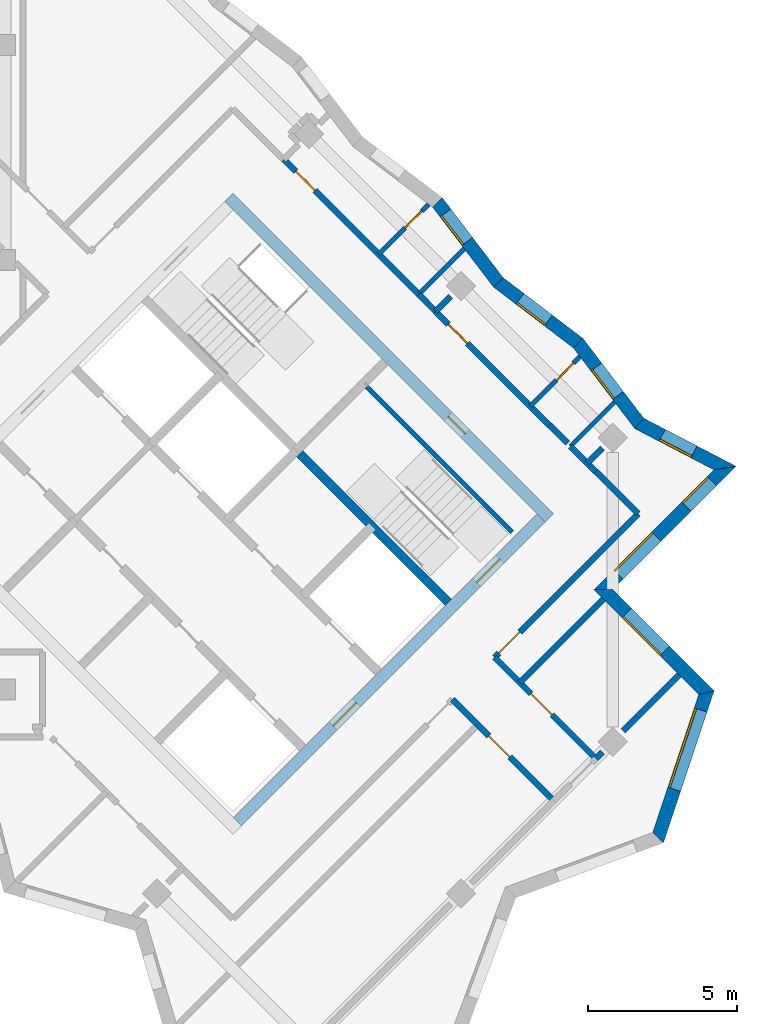
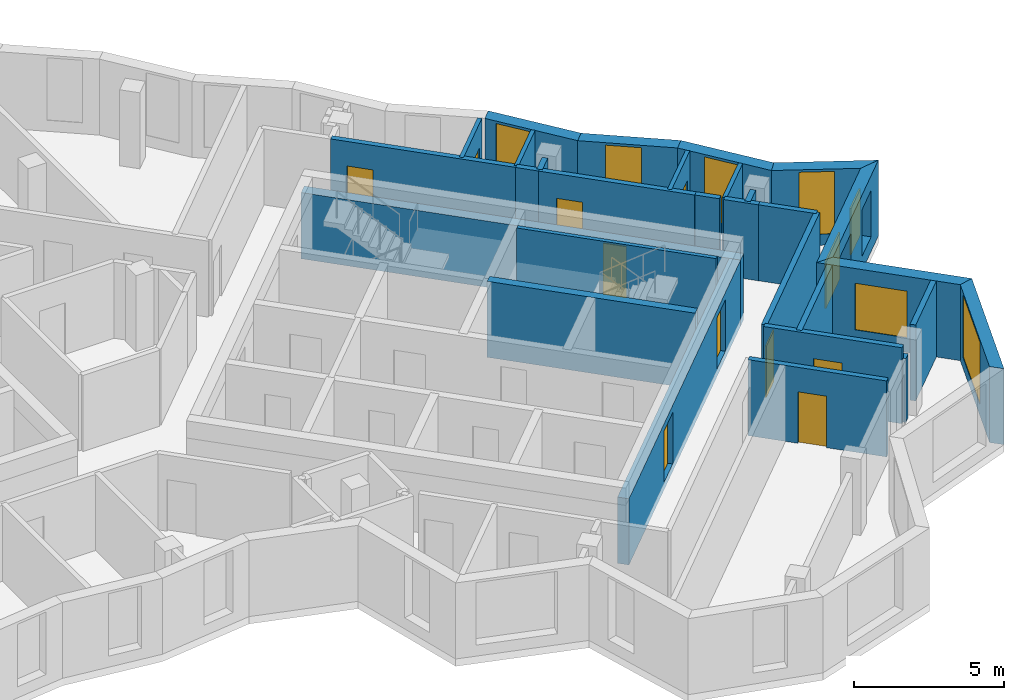
# One storey, part 7 of 12: 29 walls, 10 doors, 8 windows, 18 openings.
"""IFC4 building model written with IfcOpenShell, lengths in metres."""

from ifc_helpers import new_model, si_unit, direction, frame, frame_2d, origin, place, context, subcontext, project, spatial, polyline, rectangle, outline, extrude, material, layer, layer_set, type_object, element, fill, save


model = new_model("IFC4")

# Units and contexts
model_context = context("Model", 3, precision=1e-05, world=origin(), true_north=direction((0.0, 1.0)))
body_context = subcontext(model_context, "Body", "Model", "MODEL_VIEW")
ifc_project = project(units=[si_unit("LENGTHUNIT", "METRE"), si_unit("AREAUNIT", "SQUARE_METRE"), si_unit("VOLUMEUNIT", "CUBIC_METRE"), si_unit("PLANEANGLEUNIT", "RADIAN"), si_unit("MASSUNIT", "GRAM", prefix="KILO")], contexts=[model_context])

# Site, building, storey
site_placement = place(None, origin())
site = spatial("IfcSite", under=ifc_project, at=site_placement, CompositionType="ELEMENT")
building_placement = place(site_placement, origin())
building = spatial("IfcBuilding", under=site, at=building_placement, Name="Windrow Commons", CompositionType="ELEMENT")
storey_placement = place(building_placement, frame((0.0, 0.0, 260.8)))
storey = spatial("IfcBuildingStorey", under=building, at=storey_placement, Name="L71", CompositionType="ELEMENT", Elevation=260.8)

# Wall, opening, window
ifc_material_1 = material(Name="Brick masonry, red clay brick", Category="masonry")
ifc_layer_1 = layer(ifc_material_1, 0.45)
ifc_layer_set_1 = layer_set([ifc_layer_1], Name="Brick facade wall 450")
wall_type_1 = type_object("IfcWallType", Name="Brick facade wall 450", PredefinedType="SOLIDWALL", material=ifc_layer_set_1)
wall_1_placement = place(storey_placement, frame((101.0824, 38.2322, 0.0), z_axis=(0.0, 0.0, 1.0), x_axis=(0.316227766, 0.9486832981, 0.0)))
wall_1 = element("IfcWall", 1, at=wall_1_placement, inside=storey, type_object=wall_type_1, Name="Brick facade wall L71 4", PredefinedType="SOLIDWALL", context=body_context, shape_type="SweptSolid", body=[
    extrude(outline(polyline([(-0.1078, -0.225), (5.2588, -0.225), (4.9807, 0.225), (0.1078, 0.225), (-0.1078, -0.225)])), origin(), (0.0, 0.0, 1.0), 3.1),
])
opening_1_placement = place(wall_1_placement, frame((1.7112, 0.0, 0.45)))
opening_1 = element("IfcOpeningElement", 2, at=opening_1_placement, cuts=wall_1, Name="Opening W1V", PredefinedType="OPENING", context=body_context, shape_type="SweptSolid", body=[
    extrude(rectangle(XDim=2.8, YDim=2.55, at=frame_2d((1.4, 1.275))), frame((0.0, 0.235, 0.0), z_axis=(0.0, -1.0, 0.0), x_axis=(1.0, 0.0, 0.0)), (0.0, 0.0, 1.0), 0.47),
])
ifc_material_2 = material(Name="Clear float glass in anodised aluminium frame", Category="aluminium")
window_type_1 = type_object("IfcWindowType", Name="Window W1V bedroom 2800x2550", PartitioningType="SINGLE_PANEL", PredefinedType="WINDOW", material=ifc_material_2)
window_1_placement = place(opening_1_placement, origin())
window_1 = element("IfcWindow", 3, at=window_1_placement, inside=storey, type_object=window_type_1, Name="Window L71 4.1", OverallHeight=2.55, OverallWidth=2.8, PartitioningType="SINGLE_PANEL", PredefinedType="WINDOW", context=body_context, shape_type="SweptSolid", body=[
    extrude(rectangle(XDim=2.8, YDim=2.55, at=frame_2d((1.4, 1.275))), frame((0.0, 0.205, 0.0), z_axis=(0.0, -1.0, 0.0), x_axis=(1.0, 0.0, 0.0)), (0.0, 0.0, 1.0), 0.06),
])
fill(opening_1, window_1)

wall_2_placement = place(storey_placement, frame((102.7014, 43.0892, 0.0), z_axis=(0.0, 0.0, 1.0), x_axis=(-0.7070965479, 0.7071170144, 0.0)))
wall_2 = element("IfcWall", 4, at=wall_2_placement, inside=storey, type_object=wall_type_1, Name="Brick facade wall L71 5", PredefinedType="SOLIDWALL", context=body_context, shape_type="SweptSolid", body=[
    extrude(outline(polyline([(-0.1391, -0.225), (4.661, -0.225), (5.111, 0.225), (0.1391, 0.225), (-0.1391, -0.225)])), origin(), (0.0, 0.0, 1.0), 3.1),
])
opening_2_placement = place(wall_2_placement, frame((1.9735, 0.0, 0.6)))
opening_2 = element("IfcOpeningElement", 5, at=opening_2_placement, cuts=wall_2, Name="Opening W1L", PredefinedType="OPENING", context=body_context, shape_type="SweptSolid", body=[
    extrude(rectangle(XDim=1.8, YDim=1.9, at=frame_2d((0.9, 0.95))), frame((0.0, 0.235, 0.0), z_axis=(0.0, -1.0, 0.0), x_axis=(1.0, 0.0, 0.0)), (0.0, 0.0, 1.0), 0.47),
])
ifc_material_3 = material(Name="Clear float glass in anodised aluminium frame", Category="aluminium")
window_type_2 = type_object("IfcWindowType", Name="Window W1L bedroom 1800x1900", PartitioningType="SINGLE_PANEL", PredefinedType="WINDOW", material=ifc_material_3)
window_2_placement = place(opening_2_placement, origin())
window_2 = element("IfcWindow", 6, at=window_2_placement, inside=storey, type_object=window_type_2, Name="Window L71 5.1", OverallHeight=1.9, OverallWidth=1.8, PartitioningType="SINGLE_PANEL", PredefinedType="WINDOW", context=body_context, shape_type="SweptSolid", body=[
    extrude(rectangle(XDim=1.8, YDim=1.9, at=frame_2d((0.9, 0.95))), frame((0.0, 0.205, 0.0), z_axis=(0.0, -1.0, 0.0), x_axis=(1.0, 0.0, 0.0)), (0.0, 0.0, 1.0), 0.06),
])
fill(opening_2, window_2)

# Wall, openings, windows
wall_3_placement = place(storey_placement, frame((99.2465, 46.5442, 0.0), z_axis=(0.0, 0.0, 1.0), x_axis=(0.7071067812, 0.7071067812, 0.0)))
wall_3 = element("IfcWall", 7, at=wall_3_placement, inside=storey, type_object=wall_type_1, Name="Brick facade wall L71 6", PredefinedType="SOLIDWALL", context=body_context, shape_type="SweptSolid", body=[
    extrude(outline(polyline([(0.225, -0.225), (6.076, -0.225), (5.4623, 0.225), (-0.225, 0.225), (0.225, -0.225)])), origin(), (0.0, 0.0, 1.0), 3.1),
])
opening_3_placement = place(wall_3_placement, frame((0.7125, 0.0, 0.6)))
opening_3 = element("IfcOpeningElement", 8, at=opening_3_placement, cuts=wall_3, Name="Opening W1L", PredefinedType="OPENING", context=body_context, shape_type="SweptSolid", body=[
    extrude(rectangle(XDim=1.8, YDim=1.9, at=frame_2d((0.9, 0.95))), frame((0.0, 0.235, 0.0), z_axis=(0.0, -1.0, 0.0), x_axis=(1.0, 0.0, 0.0)), (0.0, 0.0, 1.0), 0.47),
])
opening_4_placement = place(wall_3_placement, frame((3.9436, 0.0, 0.6)))
opening_4 = element("IfcOpeningElement", 9, at=opening_4_placement, cuts=wall_3, Name="Opening W7G", PredefinedType="OPENING", context=body_context, shape_type="SweptSolid", body=[
    extrude(rectangle(XDim=1.2, YDim=1.9, at=frame_2d((0.6, 0.95))), frame((0.0, 0.235, 0.0), z_axis=(0.0, -1.0, 0.0), x_axis=(1.0, 0.0, 0.0)), (0.0, 0.0, 1.0), 0.47),
])
window_3_placement = place(opening_3_placement, origin())
window_3 = element("IfcWindow", 10, at=window_3_placement, inside=storey, type_object=window_type_2, Name="Window L71 6.1", OverallHeight=1.9, OverallWidth=1.8, PartitioningType="SINGLE_PANEL", PredefinedType="WINDOW", context=body_context, shape_type="SweptSolid", body=[
    extrude(rectangle(XDim=1.8, YDim=1.9, at=frame_2d((0.9, 0.95))), frame((0.0, 0.205, 0.0), z_axis=(0.0, -1.0, 0.0), x_axis=(1.0, 0.0, 0.0)), (0.0, 0.0, 1.0), 0.06),
])
fill(opening_3, window_3)
ifc_material_4 = material(Name="Clear float glass in anodised aluminium frame", Category="aluminium")
window_type_3 = type_object("IfcWindowType", Name="Window W7 notch 1200x1900", PartitioningType="SINGLE_PANEL", PredefinedType="WINDOW", material=ifc_material_4)
window_4_placement = place(opening_4_placement, origin())
window_4 = element("IfcWindow", 11, at=window_4_placement, inside=storey, type_object=window_type_3, Name="Window L71 6.2", OverallHeight=1.9, OverallWidth=1.2, PartitioningType="SINGLE_PANEL", PredefinedType="WINDOW", context=body_context, shape_type="SweptSolid", body=[
    extrude(rectangle(XDim=1.2, YDim=1.9, at=frame_2d((0.6, 0.95))), frame((0.0, 0.205, 0.0), z_axis=(0.0, -1.0, 0.0), x_axis=(1.0, 0.0, 0.0)), (0.0, 0.0, 1.0), 0.06),
])
fill(opening_4, window_4)

# Wall, opening, window
wall_4_placement = place(storey_placement, frame((103.3259, 50.6236, 0.0), z_axis=(0.0, 0.0, 1.0), x_axis=(-0.8870210657, 0.4617289562, 0.0)))
wall_4 = element("IfcWall", 12, at=wall_4_placement, inside=storey, type_object=wall_type_1, Name="Brick facade wall L71 7", PredefinedType="SOLIDWALL", context=body_context, shape_type="SweptSolid", body=[
    extrude(outline(polyline([(-0.3069, -0.225), (3.1881, -0.225), (3.2888, 0.225), (0.3069, 0.225), (-0.3069, -0.225)])), origin(), (0.0, 0.0, 1.0), 3.1),
])
opening_5_placement = place(wall_4_placement, frame((1.1727, 0.0, 0.45)))
opening_5 = element("IfcOpeningElement", 13, at=opening_5_placement, cuts=wall_4, Name="Opening W7F", PredefinedType="OPENING", context=body_context, shape_type="SweptSolid", body=[
    extrude(rectangle(XDim=1.2, YDim=2.55, at=frame_2d((0.6, 1.275))), frame((0.0, 0.235, 0.0), z_axis=(0.0, -1.0, 0.0), x_axis=(1.0, 0.0, 0.0)), (0.0, 0.0, 1.0), 0.47),
])
ifc_material_5 = material(Name="Clear float glass in anodised aluminium frame", Category="aluminium")
window_type_4 = type_object("IfcWindowType", Name="Window W7 notch 1200x2550", PartitioningType="SINGLE_PANEL", PredefinedType="WINDOW", material=ifc_material_5)
window_5_placement = place(opening_5_placement, origin())
window_5 = element("IfcWindow", 14, at=window_5_placement, inside=storey, type_object=window_type_4, Name="Window L71 7.1", OverallHeight=2.55, OverallWidth=1.2, PartitioningType="SINGLE_PANEL", PredefinedType="WINDOW", context=body_context, shape_type="SweptSolid", body=[
    extrude(rectangle(XDim=1.2, YDim=2.55, at=frame_2d((0.6, 1.275))), frame((0.0, 0.205, 0.0), z_axis=(0.0, -1.0, 0.0), x_axis=(1.0, 0.0, 0.0)), (0.0, 0.0, 1.0), 0.06),
])
fill(opening_5, window_5)

wall_5_placement = place(storey_placement, frame((100.4533, 52.1189, 0.0), z_axis=(0.0, 0.0, 1.0), x_axis=(-0.6058900407, 0.7955484012, 0.0)))
wall_5 = element("IfcWall", 15, at=wall_5_placement, inside=storey, type_object=wall_type_1, Name="Brick facade wall L71 8", PredefinedType="SOLIDWALL", context=body_context, shape_type="SweptSolid", body=[
    extrude(outline(polyline([(0.0503, -0.225), (3.4139, -0.225), (3.353, 0.225), (-0.0503, 0.225), (0.0503, -0.225)])), origin(), (0.0, 0.0, 1.0), 3.1),
])
opening_6_placement = place(wall_5_placement, frame((1.1765, 0.0, 0.45)))
opening_6 = element("IfcOpeningElement", 16, at=opening_6_placement, cuts=wall_5, Name="Opening W7F", PredefinedType="OPENING", context=body_context, shape_type="SweptSolid", body=[
    extrude(rectangle(XDim=1.2, YDim=2.55, at=frame_2d((0.6, 1.275))), frame((0.0, 0.235, 0.0), z_axis=(0.0, -1.0, 0.0), x_axis=(1.0, 0.0, 0.0)), (0.0, 0.0, 1.0), 0.47),
])
window_6_placement = place(opening_6_placement, origin())
window_6 = element("IfcWindow", 17, at=window_6_placement, inside=storey, type_object=window_type_4, Name="Window L71 8.1", OverallHeight=2.55, OverallWidth=1.2, PartitioningType="SINGLE_PANEL", PredefinedType="WINDOW", context=body_context, shape_type="SweptSolid", body=[
    extrude(rectangle(XDim=1.2, YDim=2.55, at=frame_2d((0.6, 1.275))), frame((0.0, 0.205, 0.0), z_axis=(0.0, -1.0, 0.0), x_axis=(1.0, 0.0, 0.0)), (0.0, 0.0, 1.0), 0.06),
])
fill(opening_6, window_6)

wall_6_placement = place(storey_placement, frame((98.4033, 54.8106, 0.0), z_axis=(0.0, 0.0, 1.0), x_axis=(-0.795543631, 0.605896304, 0.0)))
wall_6 = element("IfcWall", 18, at=wall_6_placement, inside=storey, type_object=wall_type_1, Name="Brick facade wall L71 9", PredefinedType="SOLIDWALL", context=body_context, shape_type="SweptSolid", body=[
    extrude(outline(polyline([(-0.0304, -0.225), (3.3332, -0.225), (3.3941, 0.225), (0.0304, 0.225), (-0.0304, -0.225)])), origin(), (0.0, 0.0, 1.0), 3.1),
])
opening_7_placement = place(wall_6_placement, frame((1.251, 0.0, 0.45)))
opening_7 = element("IfcOpeningElement", 19, at=opening_7_placement, cuts=wall_6, Name="Opening W7F", PredefinedType="OPENING", context=body_context, shape_type="SweptSolid", body=[
    extrude(rectangle(XDim=1.2, YDim=2.55, at=frame_2d((0.6, 1.275))), frame((0.0, 0.235, 0.0), z_axis=(0.0, -1.0, 0.0), x_axis=(1.0, 0.0, 0.0)), (0.0, 0.0, 1.0), 0.47),
])
window_7_placement = place(opening_7_placement, origin())
window_7 = element("IfcWindow", 20, at=window_7_placement, inside=storey, type_object=window_type_4, Name="Window L71 9.1", OverallHeight=2.55, OverallWidth=1.2, PartitioningType="SINGLE_PANEL", PredefinedType="WINDOW", context=body_context, shape_type="SweptSolid", body=[
    extrude(rectangle(XDim=1.2, YDim=2.55, at=frame_2d((0.6, 1.275))), frame((0.0, 0.205, 0.0), z_axis=(0.0, -1.0, 0.0), x_axis=(1.0, 0.0, 0.0)), (0.0, 0.0, 1.0), 0.06),
])
fill(opening_7, window_7)

wall_7_placement = place(storey_placement, frame((95.7274, 56.8486, 0.0), z_axis=(0.0, 0.0, 1.0), x_axis=(-0.6059151193, 0.7955293007, 0.0)))
wall_7 = element("IfcWall", 21, at=wall_7_placement, inside=storey, type_object=wall_type_1, Name="Brick facade wall L71 10", PredefinedType="SOLIDWALL", context=body_context, shape_type="SweptSolid", body=[
    extrude(outline(polyline([(0.0304, -0.225), (3.3941, -0.225), (3.3332, 0.225), (-0.0304, 0.225), (0.0304, -0.225)])), origin(), (0.0, 0.0, 1.0), 3.1),
])
opening_8_placement = place(wall_7_placement, frame((1.7204, 0.0, 0.45)))
opening_8 = element("IfcOpeningElement", 22, at=opening_8_placement, cuts=wall_7, Name="Opening W7F", PredefinedType="OPENING", context=body_context, shape_type="SweptSolid", body=[
    extrude(rectangle(XDim=1.2, YDim=2.55, at=frame_2d((0.6, 1.275))), frame((0.0, 0.235, 0.0), z_axis=(0.0, -1.0, 0.0), x_axis=(1.0, 0.0, 0.0)), (0.0, 0.0, 1.0), 0.47),
])
window_8_placement = place(opening_8_placement, origin())
window_8 = element("IfcWindow", 23, at=window_8_placement, inside=storey, type_object=window_type_4, Name="Window L71 10.1", OverallHeight=2.55, OverallWidth=1.2, PartitioningType="SINGLE_PANEL", PredefinedType="WINDOW", context=body_context, shape_type="SweptSolid", body=[
    extrude(rectangle(XDim=1.2, YDim=2.55, at=frame_2d((0.6, 1.275))), frame((0.0, 0.205, 0.0), z_axis=(0.0, -1.0, 0.0), x_axis=(1.0, 0.0, 0.0)), (0.0, 0.0, 1.0), 0.06),
])
fill(opening_8, window_8)

# Wall, opening, door
ifc_material_6 = material(Name="Blockwork partition", Category="masonry")
ifc_layer_2 = layer(ifc_material_6, 0.2)
ifc_layer_set_2 = layer_set([ifc_layer_2], Name="IW-CORRIDOR-200")
wall_type_2 = type_object("IfcWallType", Name="IW-CORRIDOR-200", PredefinedType="PARTITIONING", material=ifc_layer_set_2)
wall_8_placement = place(storey_placement, frame((95.6049, 44.2831, 0.0), z_axis=(0.0, 0.0, 1.0), x_axis=(0.7071067812, 0.7071067812, 0.0)))
wall_8 = element("IfcWall", 24, at=wall_8_placement, inside=storey, type_object=wall_type_2, Name="W-L71-W011", PredefinedType="PARTITIONING", context=body_context, shape_type="SweptSolid", body=[
    extrude(rectangle(XDim=6.7995, YDim=0.2, at=frame_2d((3.3998, 0.0))), origin(), (0.0, 0.0, 1.0), 3.1),
])
opening_9_placement = place(wall_8_placement, frame((0.1925, 0.0, 0.0)))
opening_9 = element("IfcOpeningElement", 25, at=opening_9_placement, cuts=wall_8, Name="Opening D310F", PredefinedType="OPENING", context=body_context, shape_type="SweptSolid", body=[
    extrude(rectangle(XDim=1.0, YDim=2.1, at=frame_2d((0.5, 1.05))), frame((0.0, 0.11, 0.0), z_axis=(0.0, -1.0, 0.0), x_axis=(1.0, 0.0, 0.0)), (0.0, 0.0, 1.0), 0.22),
])
ifc_material_7 = material(Name="Timber door leaf", Category="wood")
door_type_1 = type_object("IfcDoorType", Name="DT-AMENITY-1000", OperationType="SINGLE_SWING_LEFT", PredefinedType="DOOR", material=ifc_material_7)
door_1_placement = place(opening_9_placement, origin())
door_1 = element("IfcDoor", 26, at=door_1_placement, inside=storey, type_object=door_type_1, Name="D-L71-D019", OperationType="SINGLE_SWING_LEFT", OverallHeight=2.1, OverallWidth=1.0, PredefinedType="DOOR", context=body_context, shape_type="SweptSolid", body=[
    extrude(rectangle(XDim=1.0, YDim=2.1, at=frame_2d((0.5, 1.05))), frame((0.0, 0.025, 0.0), z_axis=(0.0, -1.0, 0.0), x_axis=(1.0, 0.0, 0.0)), (0.0, 0.0, 1.0), 0.05),
])
fill(opening_9, door_1)

wall_9_placement = place(storey_placement, frame((88.5373, 60.9733, 0.0), z_axis=(0.0, 0.0, 1.0), x_axis=(0.7071067812, -0.7071067812, 0.0)))
wall_9 = element("IfcWall", 27, at=wall_9_placement, inside=storey, type_object=wall_type_2, Name="W-L71-W014", PredefinedType="PARTITIONING", context=body_context, shape_type="SweptSolid", body=[
    extrude(rectangle(XDim=6.4007, YDim=0.2, at=frame_2d((3.2003, 0.0))), origin(), (0.0, 0.0, 1.0), 3.1),
])
opening_10_placement = place(wall_9_placement, frame((0.5685, 0.0, 0.0)))
opening_10 = element("IfcOpeningElement", 28, at=opening_10_placement, cuts=wall_9, Name="Opening D109S", PredefinedType="OPENING", context=body_context, shape_type="SweptSolid", body=[
    extrude(rectangle(XDim=0.9, YDim=2.1, at=frame_2d((0.45, 1.05))), frame((0.0, 0.11, 0.0), z_axis=(0.0, -1.0, 0.0), x_axis=(1.0, 0.0, 0.0)), (0.0, 0.0, 1.0), 0.22),
])
ifc_material_8 = material(Name="Timber door leaf", Category="wood")
door_type_2 = type_object("IfcDoorType", Name="DT-BEDROOM-900", OperationType="SINGLE_SWING_LEFT", PredefinedType="DOOR", material=ifc_material_8)
door_2_placement = place(opening_10_placement, origin())
door_2 = element("IfcDoor", 29, at=door_2_placement, inside=storey, type_object=door_type_2, Name="D-L71-D021", OperationType="SINGLE_SWING_LEFT", OverallHeight=2.1, OverallWidth=0.9, PredefinedType="DOOR", context=body_context, shape_type="SweptSolid", body=[
    extrude(rectangle(XDim=0.9, YDim=2.1, at=frame_2d((0.45, 1.05))), frame((0.0, 0.025, 0.0), z_axis=(0.0, -1.0, 0.0), x_axis=(1.0, 0.0, 0.0)), (0.0, 0.0, 1.0), 0.05),
])
fill(opening_10, door_2)

wall_10_placement = place(storey_placement, frame((93.6213, 55.8753, 0.0), z_axis=(0.0, 0.0, 1.0), x_axis=(0.7071623255, -0.7070512325, 0.0)))
wall_10 = element("IfcWall", 30, at=wall_10_placement, inside=storey, type_object=wall_type_2, Name="W-L71-W018", PredefinedType="PARTITIONING", context=body_context, shape_type="SweptSolid", body=[
    extrude(rectangle(XDim=5.4009, YDim=0.2, at=frame_2d((2.7005, 0.0))), origin(), (0.0, 0.0, 1.0), 3.1),
])
opening_11_placement = place(wall_10_placement, frame((0.6107, 0.0, 0.0)))
opening_11 = element("IfcOpeningElement", 31, at=opening_11_placement, cuts=wall_10, Name="Opening D109S", PredefinedType="OPENING", context=body_context, shape_type="SweptSolid", body=[
    extrude(rectangle(XDim=0.9, YDim=2.1, at=frame_2d((0.45, 1.05))), frame((0.0, 0.11, 0.0), z_axis=(0.0, -1.0, 0.0), x_axis=(1.0, 0.0, 0.0)), (0.0, 0.0, 1.0), 0.22),
])
door_3_placement = place(opening_11_placement, origin())
door_3 = element("IfcDoor", 32, at=door_3_placement, inside=storey, type_object=door_type_2, Name="D-L71-D023", OperationType="SINGLE_SWING_LEFT", OverallHeight=2.1, OverallWidth=0.9, PredefinedType="DOOR", context=body_context, shape_type="SweptSolid", body=[
    extrude(rectangle(XDim=0.9, YDim=2.1, at=frame_2d((0.45, 1.05))), frame((0.0, 0.025, 0.0), z_axis=(0.0, -1.0, 0.0), x_axis=(1.0, 0.0, 0.0)), (0.0, 0.0, 1.0), 0.05),
])
fill(opening_11, door_3)

wall_11_placement = place(storey_placement, frame((95.6029, 44.2769, 0.0), z_axis=(0.0, 0.0, 1.0), x_axis=(0.7071067812, -0.7071067812, 0.0)))
wall_11 = element("IfcWall", 33, at=wall_11_placement, inside=storey, type_object=wall_type_2, Name="W-L71-W021", PredefinedType="PARTITIONING", context=body_context, shape_type="SweptSolid", body=[
    extrude(rectangle(XDim=4.797, YDim=0.2, at=frame_2d((2.3985, 0.0))), origin(), (0.0, 0.0, 1.0), 3.1),
])
opening_12_placement = place(wall_11_placement, frame((1.7232, 0.0, 0.0)))
opening_12 = element("IfcOpeningElement", 34, at=opening_12_placement, cuts=wall_11, Name="Opening D310F", PredefinedType="OPENING", context=body_context, shape_type="SweptSolid", body=[
    extrude(rectangle(XDim=1.0, YDim=2.1, at=frame_2d((0.5, 1.05))), frame((0.0, 0.11, 0.0), z_axis=(0.0, -1.0, 0.0), x_axis=(1.0, 0.0, 0.0)), (0.0, 0.0, 1.0), 0.22),
])
door_4_placement = place(opening_12_placement, origin())
door_4 = element("IfcDoor", 35, at=door_4_placement, inside=storey, type_object=door_type_1, Name="D-L71-D029", OperationType="SINGLE_SWING_RIGHT", OverallHeight=2.1, OverallWidth=1.0, PredefinedType="DOOR", context=body_context, shape_type="SweptSolid", body=[
    extrude(rectangle(XDim=1.0, YDim=2.1, at=frame_2d((0.5, 1.05))), frame((0.0, 0.025, 0.0), z_axis=(0.0, -1.0, 0.0), x_axis=(1.0, 0.0, 0.0)), (0.0, 0.0, 1.0), 0.05),
])
fill(opening_12, door_4)

wall_12_placement = place(storey_placement, frame((94.1887, 42.8627, 0.0), z_axis=(0.0, 0.0, 1.0), x_axis=(0.7071067812, -0.7071067812, 0.0)))
wall_12 = element("IfcWall", 36, at=wall_12_placement, inside=storey, type_object=wall_type_2, Name="W-L71-W022", PredefinedType="PARTITIONING", context=body_context, shape_type="SweptSolid", body=[
    extrude(rectangle(XDim=4.797, YDim=0.2, at=frame_2d((2.3985, 0.0))), origin(), (0.0, 0.0, 1.0), 3.1),
])
opening_13_placement = place(wall_12_placement, frame((1.7232, 0.0, 0.0)))
opening_13 = element("IfcOpeningElement", 37, at=opening_13_placement, cuts=wall_12, Name="Opening D310F", PredefinedType="OPENING", context=body_context, shape_type="SweptSolid", body=[
    extrude(rectangle(XDim=1.0, YDim=2.1, at=frame_2d((0.5, 1.05))), frame((0.0, 0.11, 0.0), z_axis=(0.0, -1.0, 0.0), x_axis=(1.0, 0.0, 0.0)), (0.0, 0.0, 1.0), 0.22),
])
door_5_placement = place(opening_13_placement, origin())
door_5 = element("IfcDoor", 38, at=door_5_placement, inside=storey, type_object=door_type_1, Name="D-L71-D028", OperationType="SINGLE_SWING_LEFT", OverallHeight=2.1, OverallWidth=1.0, PredefinedType="DOOR", context=body_context, shape_type="SweptSolid", body=[
    extrude(rectangle(XDim=1.0, YDim=2.1, at=frame_2d((0.5, 1.05))), frame((0.0, 0.025, 0.0), z_axis=(0.0, -1.0, 0.0), x_axis=(1.0, 0.0, 0.0)), (0.0, 0.0, 1.0), 0.05),
])
fill(opening_13, door_5)

# Walls
wall_13_placement = place(storey_placement, frame((98.9983, 50.5043, 0.0), z_axis=(0.0, 0.0, 1.0), x_axis=(0.7076063266, -0.7066068826, 0.0)))
element("IfcWall", 39, at=wall_13_placement, inside=storey, type_object=wall_type_2, Name="W-L71-W065", PredefinedType="PARTITIONING", context=body_context, shape_type="SweptSolid", body=[
    extrude(rectangle(XDim=2.0011, YDim=0.2, at=frame_2d((1.0006, 0.0))), origin(), (0.0, 0.0, 1.0), 3.1),
])
wall_14_placement = place(storey_placement, frame((98.1473, 51.3493, 0.0), z_axis=(0.0, 0.0, 1.0), x_axis=(0.7071067812, -0.7071067812, 0.0)))
element("IfcWall", 40, at=wall_14_placement, inside=storey, type_object=wall_type_2, Name="W-L71-W074", PredefinedType="PARTITIONING", context=body_context, shape_type="SweptSolid", body=[
    extrude(rectangle(XDim=1.1993, YDim=0.2, at=frame_2d((0.5997, 0.0))), origin(), (0.0, 0.0, 1.0), 3.1),
])
wall_15_placement = place(storey_placement, frame((97.445, 52.061, 0.0), z_axis=(0.0, 0.0, 1.0), x_axis=(0.7059292536, -0.7082823511, 0.0)))
element("IfcWall", 41, at=wall_15_placement, inside=storey, type_object=wall_type_2, Name="W-L71-W077", PredefinedType="PARTITIONING", context=body_context, shape_type="SweptSolid", body=[
    extrude(rectangle(XDim=0.8499, YDim=0.2, at=frame_2d((0.4249, 0.0))), origin(), (0.0, 0.0, 1.0), 3.1),
])
wall_16_placement = place(storey_placement, frame((93.0593, 56.4433, 0.0), z_axis=(0.0, 0.0, 1.0), x_axis=(0.7058541592, -0.7083571881, 0.0)))
element("IfcWall", 42, at=wall_16_placement, inside=storey, type_object=wall_type_2, Name="W-L71-W079", PredefinedType="PARTITIONING", context=body_context, shape_type="SweptSolid", body=[
    extrude(rectangle(XDim=0.799, YDim=0.2, at=frame_2d((0.3995, 0.0))), origin(), (0.0, 0.0, 1.0), 3.1),
])

# Wall, opening, door
ifc_material_9 = material(Name="Blockwork partition", Category="masonry")
ifc_layer_3 = layer(ifc_material_9, 0.15)
ifc_layer_set_3 = layer_set([ifc_layer_3], Name="IW-ENSUITE-150")
wall_type_3 = type_object("IfcWallType", Name="IW-ENSUITE-150", PredefinedType="PARTITIONING", material=ifc_layer_set_3)
wall_17_placement = place(storey_placement, frame((91.7155, 57.7885, 0.0), z_axis=(0.0, 0.0, 1.0), x_axis=(0.7071067812, 0.7071067812, 0.0)))
wall_17 = element("IfcWall", 43, at=wall_17_placement, inside=storey, type_object=wall_type_3, Name="W-L71-W054", PredefinedType="PARTITIONING", context=body_context, shape_type="SweptSolid", body=[
    extrude(rectangle(XDim=2.3735, YDim=0.15, at=frame_2d((1.1867, 0.0))), origin(), (0.0, 0.0, 1.0), 3.1),
])
opening_14_placement = place(wall_17_placement, frame((1.2504, 0.0, 0.0)))
opening_14 = element("IfcOpeningElement", 44, at=opening_14_placement, cuts=wall_17, Name="Opening D208N", PredefinedType="OPENING", context=body_context, shape_type="SweptSolid", body=[
    extrude(rectangle(XDim=0.8, YDim=2.1, at=frame_2d((0.4, 1.05))), frame((0.0, 0.085, 0.0), z_axis=(0.0, -1.0, 0.0), x_axis=(1.0, 0.0, 0.0)), (0.0, 0.0, 1.0), 0.17),
])
ifc_material_10 = material(Name="Timber door leaf", Category="wood")
door_type_3 = type_object("IfcDoorType", Name="DT-ENSUITE-800", OperationType="SINGLE_SWING_LEFT", PredefinedType="DOOR", material=ifc_material_10)
door_6_placement = place(opening_14_placement, origin())
door_6 = element("IfcDoor", 45, at=door_6_placement, inside=storey, type_object=door_type_3, Name="D-L71-D022", OperationType="SINGLE_SWING_RIGHT", OverallHeight=2.1, OverallWidth=0.8, PredefinedType="DOOR", context=body_context, shape_type="SweptSolid", body=[
    extrude(rectangle(XDim=0.8, YDim=2.1, at=frame_2d((0.4, 1.05))), frame((0.0, 0.025, 0.0), z_axis=(0.0, -1.0, 0.0), x_axis=(1.0, 0.0, 0.0)), (0.0, 0.0, 1.0), 0.05),
])
fill(opening_14, door_6)

wall_18_placement = place(storey_placement, frame((96.8057, 52.6963, 0.0), z_axis=(0.0, 0.0, 1.0), x_axis=(0.7071067812, 0.7071067812, 0.0)))
wall_18 = element("IfcWall", 46, at=wall_18_placement, inside=storey, type_object=wall_type_3, Name="W-L71-W056", PredefinedType="PARTITIONING", context=body_context, shape_type="SweptSolid", body=[
    extrude(rectangle(XDim=2.3482, YDim=0.15, at=frame_2d((1.1741, 0.0))), origin(), (0.0, 0.0, 1.0), 3.1),
])
opening_15_placement = place(wall_18_placement, frame((1.2364, 0.0, 0.0)))
opening_15 = element("IfcOpeningElement", 47, at=opening_15_placement, cuts=wall_18, Name="Opening D208N", PredefinedType="OPENING", context=body_context, shape_type="SweptSolid", body=[
    extrude(rectangle(XDim=0.8, YDim=2.1, at=frame_2d((0.4, 1.05))), frame((0.0, 0.085, 0.0), z_axis=(0.0, -1.0, 0.0), x_axis=(1.0, 0.0, 0.0)), (0.0, 0.0, 1.0), 0.17),
])
door_7_placement = place(opening_15_placement, origin())
door_7 = element("IfcDoor", 48, at=door_7_placement, inside=storey, type_object=door_type_3, Name="D-L71-D024", OperationType="SINGLE_SWING_RIGHT", OverallHeight=2.1, OverallWidth=0.8, PredefinedType="DOOR", context=body_context, shape_type="SweptSolid", body=[
    extrude(rectangle(XDim=0.8, YDim=2.1, at=frame_2d((0.4, 1.05))), frame((0.0, 0.025, 0.0), z_axis=(0.0, -1.0, 0.0), x_axis=(1.0, 0.0, 0.0)), (0.0, 0.0, 1.0), 0.05),
])
fill(opening_15, door_7)

# Walls
wall_19_placement = place(storey_placement, frame((93.059, 56.445, 0.0), z_axis=(0.0, 0.0, 1.0), x_axis=(0.7071067812, 0.7071067812, 0.0)))
element("IfcWall", 49, at=wall_19_placement, inside=storey, type_object=wall_type_3, Name="W-L71-W060", PredefinedType="PARTITIONING", context=body_context, shape_type="SweptSolid", body=[
    extrude(rectangle(XDim=2.1619, YDim=0.15, at=frame_2d((1.081, 0.0))), origin(), (0.0, 0.0, 1.0), 3.1),
])
wall_20_placement = place(storey_placement, frame((98.1492, 51.3528, 0.0), z_axis=(0.0, 0.0, 1.0), x_axis=(0.7070828702, 0.7071306913, 0.0)))
element("IfcWall", 50, at=wall_20_placement, inside=storey, type_object=wall_type_3, Name="W-L71-W064", PredefinedType="PARTITIONING", context=body_context, shape_type="SweptSolid", body=[
    extrude(rectangle(XDim=2.0911, YDim=0.15, at=frame_2d((1.0455, 0.0))), origin(), (0.0, 0.0, 1.0), 3.1),
])
ifc_material_11 = material(Name="Blockwork partition", Category="masonry")
ifc_layer_4 = layer(ifc_material_11, 0.2)
ifc_layer_set_4 = layer_set([ifc_layer_4], Name="IW-PARTY-200")
wall_type_4 = type_object("IfcWallType", Name="IW-PARTY-200", PredefinedType="PARTITIONING", material=ifc_layer_set_4)
wall_21_placement = place(storey_placement, frame((96.4552, 43.4308, 0.0), z_axis=(0.0, 0.0, 1.0), x_axis=(0.7068409254, 0.707372537, 0.0)))
element("IfcWall", 51, at=wall_21_placement, inside=storey, type_object=wall_type_4, Name="W-L71-W033", PredefinedType="PARTITIONING", context=body_context, shape_type="SweptSolid", body=[
    extrude(rectangle(XDim=3.9503, YDim=0.2, at=frame_2d((1.9751, 0.0))), origin(), (0.0, 0.0, 1.0), 3.1),
])
wall_22_placement = place(storey_placement, frame((99.9105, 41.8075, 0.0), z_axis=(0.0, 0.0, 1.0), x_axis=(0.7075021757, 0.7067111654, 0.0)))
element("IfcWall", 52, at=wall_22_placement, inside=storey, type_object=wall_type_4, Name="W-L71-W045", PredefinedType="PARTITIONING", context=body_context, shape_type="SweptSolid", body=[
    extrude(rectangle(XDim=2.6548, YDim=0.2, at=frame_2d((1.3274, 0.0))), origin(), (0.0, 0.0, 1.0), 3.1),
])
wall_23_placement = place(storey_placement, frame((98.7148, 50.7872, 0.0), z_axis=(0.0, 0.0, 1.0), x_axis=(0.7071067812, 0.7071067812, 0.0)))
element("IfcWall", 53, at=wall_23_placement, inside=storey, type_object=wall_type_4, Name="W-L71-W081", PredefinedType="PARTITIONING", context=body_context, shape_type="SweptSolid", body=[
    extrude(rectangle(XDim=0.7071, YDim=0.2, at=frame_2d((0.3535, 0.0))), origin(), (0.0, 0.0, 1.0), 3.1),
])
wall_24_placement = place(storey_placement, frame((93.625, 55.877, 0.0), z_axis=(0.0, 0.0, 1.0), x_axis=(0.7085224061, 0.7056883165, 0.0)))
element("IfcWall", 54, at=wall_24_placement, inside=storey, type_object=wall_type_4, Name="W-L71-W082", PredefinedType="PARTITIONING", context=body_context, shape_type="SweptSolid", body=[
    extrude(rectangle(XDim=0.7057, YDim=0.2, at=frame_2d((0.3528, 0.0))), origin(), (0.0, 0.0, 1.0), 3.1),
])
wall_25_placement = place(storey_placement, frame((98.998, 40.888, 0.0), z_axis=(0.0, 0.0, 1.0), x_axis=(0.7071067812, 0.7071067812, 0.0)))
element("IfcWall", 55, at=wall_25_placement, inside=storey, type_object=wall_type_4, Name="W-L71-W103", PredefinedType="PARTITIONING", context=body_context, shape_type="SweptSolid", body=[
    extrude(rectangle(XDim=0.3055, YDim=0.2, at=frame_2d((0.1527, 0.0))), origin(), (0.0, 0.0, 1.0), 2.6),
])

# Wall, opening, door
ifc_material_12 = material(Name="Concrete C40/50", Category="concrete")
ifc_layer_5 = layer(ifc_material_12, 0.4)
ifc_layer_set_5 = layer_set([ifc_layer_5], Name="RC CORE WALL 400 C40/50")
wall_type_5 = type_object("IfcWallType", Name="RC CORE WALL 400 C40/50", PredefinedType="SHEAR", material=ifc_layer_set_5)
wall_26_placement = place(storey_placement, frame((86.6953, 59.6963, -0.3), z_axis=(0.0, 0.0, 1.0), x_axis=(0.7071100706, -0.7071034917, 0.0)))
wall_26 = element("IfcWall", 56, at=wall_26_placement, inside=storey, type_object=wall_type_5, Name="Core B wall outer-N", PredefinedType="SHEAR", context=body_context, shape_type="SweptSolid", body=[
    extrude(rectangle(XDim=15.2, YDim=0.4, at=frame_2d((7.6, 0.0))), origin(), (0.0, 0.0, 1.0), 2.7),
])
opening_16_placement = place(wall_26_placement, frame((10.4, 0.0, 0.3)))
opening_16 = element("IfcOpeningElement", 57, at=opening_16_placement, cuts=wall_26, Name="Opening D9", PredefinedType="OPENING", context=body_context, shape_type="SweptSolid", body=[
    extrude(rectangle(XDim=0.8, YDim=2.1, at=frame_2d((0.4, 1.05))), frame((0.0, 0.21, 0.0), z_axis=(0.0, -1.0, 0.0), x_axis=(1.0, 0.0, 0.0)), (0.0, 0.0, 1.0), 0.42),
])
ifc_material_13 = material(Name="Steel fire door leaf", Category="steel")
door_type_4 = type_object("IfcDoorType", Name="Riser access door 800", OperationType="SINGLE_SWING_LEFT", PredefinedType="DOOR", material=ifc_material_13)
door_8_placement = place(opening_16_placement, origin())
door_8 = element("IfcDoor", 58, at=door_8_placement, inside=storey, type_object=door_type_4, Name="Riser access door", OperationType="SINGLE_SWING_RIGHT", OverallHeight=2.1, OverallWidth=0.8, PredefinedType="DOOR", context=body_context, shape_type="SweptSolid", body=[
    extrude(rectangle(XDim=0.8, YDim=2.1, at=frame_2d((0.4, 1.05))), frame((0.0, 0.025, 0.0), z_axis=(0.0, -1.0, 0.0), x_axis=(1.0, 0.0, 0.0)), (0.0, 0.0, 1.0), 0.05),
])
fill(opening_16, door_8)

# Wall, openings, doors
wall_27_placement = place(storey_placement, frame((86.9782, 38.766, -0.3), z_axis=(0.0, 0.0, 1.0), x_axis=(0.7071067812, 0.7071067812, 0.0)))
wall_27 = element("IfcWall", 59, at=wall_27_placement, inside=storey, type_object=wall_type_5, Name="Core B wall outer-E", PredefinedType="SHEAR", context=body_context, shape_type="SweptSolid", body=[
    extrude(rectangle(XDim=14.3999, YDim=0.4, at=frame_2d((7.2, 0.0))), origin(), (0.0, 0.0, 1.0), 2.7),
])
opening_17_placement = place(wall_27_placement, frame((4.55, 0.0, 0.3)))
opening_17 = element("IfcOpeningElement", 60, at=opening_17_placement, cuts=wall_27, Name="Opening D6", PredefinedType="OPENING", context=body_context, shape_type="SweptSolid", body=[
    extrude(rectangle(XDim=1.1, YDim=2.1, at=frame_2d((0.55, 1.05))), frame((0.0, 0.21, 0.0), z_axis=(0.0, -1.0, 0.0), x_axis=(1.0, 0.0, 0.0)), (0.0, 0.0, 1.0), 0.42),
])
opening_18_placement = place(wall_27_placement, frame((11.35, 0.0, 0.3)))
opening_18 = element("IfcOpeningElement", 61, at=opening_18_placement, cuts=wall_27, Name="Opening D7", PredefinedType="OPENING", context=body_context, shape_type="SweptSolid", body=[
    extrude(rectangle(XDim=1.1, YDim=2.1, at=frame_2d((0.55, 1.05))), frame((0.0, 0.21, 0.0), z_axis=(0.0, -1.0, 0.0), x_axis=(1.0, 0.0, 0.0)), (0.0, 0.0, 1.0), 0.42),
])
ifc_material_14 = material(Name="Steel fire door leaf", Category="steel")
door_type_5 = type_object("IfcDoorType", Name="Core lobby door 1100", OperationType="SINGLE_SWING_LEFT", PredefinedType="DOOR", material=ifc_material_14)
door_9_placement = place(opening_17_placement, origin())
door_9 = element("IfcDoor", 62, at=door_9_placement, inside=storey, type_object=door_type_5, Name="Lift lobby door", OperationType="DOUBLE_DOOR_SINGLE_SWING", OverallHeight=2.1, OverallWidth=1.1, PredefinedType="DOOR", context=body_context, shape_type="SweptSolid", body=[
    extrude(rectangle(XDim=1.1, YDim=2.1, at=frame_2d((0.55, 1.05))), frame((0.0, 0.025, 0.0), z_axis=(0.0, -1.0, 0.0), x_axis=(1.0, 0.0, 0.0)), (0.0, 0.0, 1.0), 0.05),
])
fill(opening_17, door_9)
ifc_material_15 = material(Name="Steel fire door leaf", Category="steel")
door_type_6 = type_object("IfcDoorType", Name="Stair door 1100", OperationType="SINGLE_SWING_LEFT", PredefinedType="DOOR", material=ifc_material_15)
door_10_placement = place(opening_18_placement, origin())
door_10 = element("IfcDoor", 63, at=door_10_placement, inside=storey, type_object=door_type_6, Name="Stair door", OperationType="SINGLE_SWING_RIGHT", OverallHeight=2.1, OverallWidth=1.1, PredefinedType="DOOR", context=body_context, shape_type="SweptSolid", body=[
    extrude(rectangle(XDim=1.1, YDim=2.1, at=frame_2d((0.55, 1.05))), frame((0.0, 0.025, 0.0), z_axis=(0.0, -1.0, 0.0), x_axis=(1.0, 0.0, 0.0)), (0.0, 0.0, 1.0), 0.05),
])
fill(opening_18, door_10)

# Walls
ifc_material_16 = material(Name="Concrete C40/50", Category="concrete")
ifc_layer_6 = layer(ifc_material_16, 0.3)
ifc_layer_set_6 = layer_set([ifc_layer_6], Name="RC SHAFT WALL 300 C40/50")
wall_type_6 = type_object("IfcWallType", Name="RC SHAFT WALL 300 C40/50", PredefinedType="SOLIDWALL", material=ifc_layer_set_6)
wall_28_placement = place(storey_placement, frame((88.9581, 51.2111, 0.0), z_axis=(0.0, 0.0, 1.0), x_axis=(0.7070998367, -0.7071137256, 0.0)))
element("IfcWall", 64, at=wall_28_placement, inside=storey, type_object=wall_type_6, Name="Core B wall stair-S2", PredefinedType="SOLIDWALL", context=body_context, shape_type="SweptSolid", body=[
    extrude(rectangle(XDim=7.2, YDim=0.3, at=frame_2d((3.6, 0.0))), origin(), (0.0, 0.0, 1.0), 3.1),
])
ifc_material_17 = material(Name="Blockwork partition", Category="masonry")
ifc_layer_7 = layer(ifc_material_17, 0.15)
ifc_layer_set_7 = layer_set([ifc_layer_7], Name="Riser partition 150")
wall_type_7 = type_object("IfcWallType", Name="Riser partition 150", PredefinedType="PARTITIONING", material=ifc_layer_set_7)
wall_29_placement = place(storey_placement, frame((91.3127, 53.3536, 0.0), z_axis=(0.0, 0.0, 1.0), x_axis=(0.7071140275, -0.7070995348, 0.0)))
element("IfcWall", 65, at=wall_29_placement, inside=storey, type_object=wall_type_7, Name="W-core-strip-B-L71", PredefinedType="PARTITIONING", context=body_context, shape_type="SweptSolid", body=[
    extrude(rectangle(XDim=6.9, YDim=0.15, at=frame_2d((3.45, 0.0))), origin(), (0.0, 0.0, 1.0), 3.1),
])

save(model, "model.ifc")
